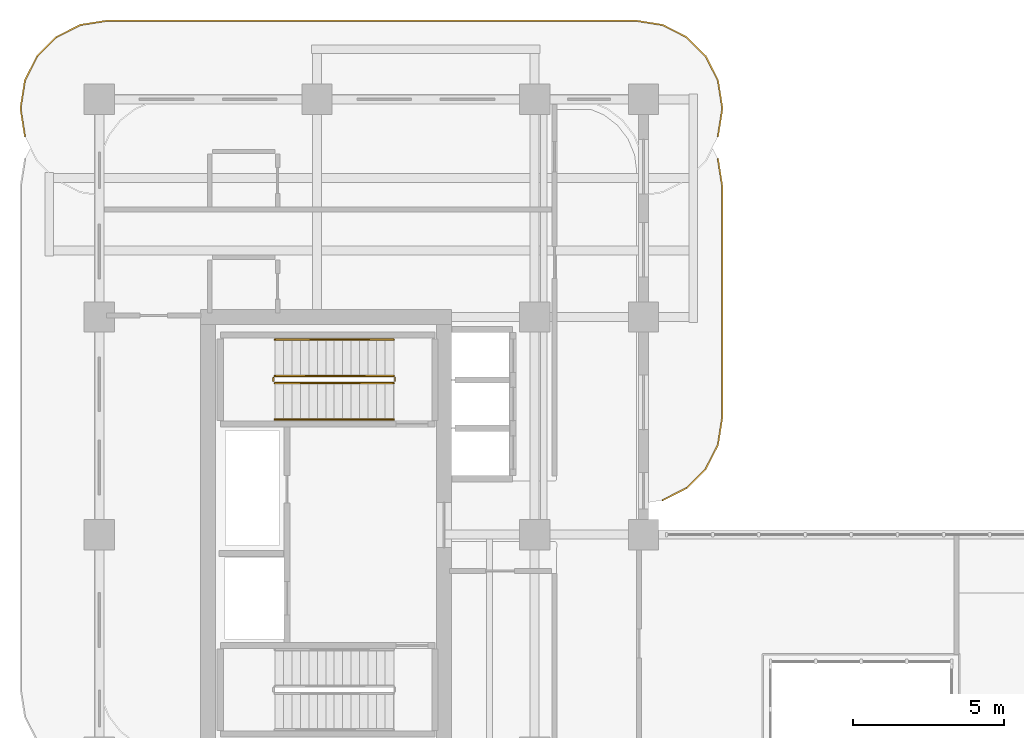
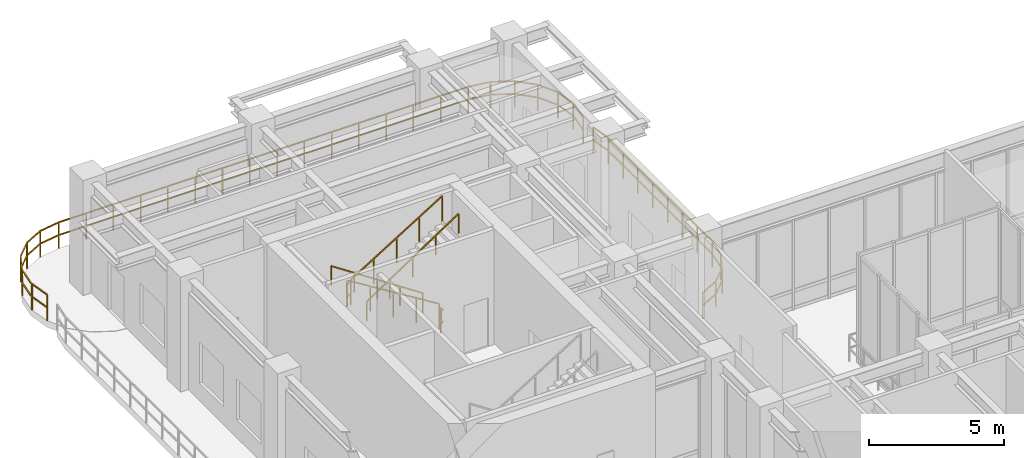
# One storey, part 21 of 21: 8 railings.
"""IFC4 building model written with IfcOpenShell, lengths in metres."""

import ifcopenshell
import ifcopenshell.guid

model = None  # the IFC model being written
_history = None  # IfcOwnerHistory: only IFC2X3 demands one
_inside = {}  # id of a spatial element -> (the spatial element, [elements in it])
_under = {}  # id of a project, library or spatial element -> (it, [spatial elements below it])
_declared = {}  # id of a project -> (the project, [libraries it declares])
_typed = {}  # id of a type object -> (the type object, [elements of that type])
_made_of = {}  # id of a material, layer set ... -> (it, [elements and type objects made of it])


def new_model(schema):
    """Start an empty IFC model of exactly this schema.

    Asked for "IFC4X3", IfcOpenShell would pick the latest addendum, in which some entities
    have other attributes; the version numbers below select the first issue.
    IFC2X3 requires an IfcOwnerHistory on every rooted entity: one is made here for all.
    """
    global model, _history
    if schema == "IFC4X3":
        model = ifcopenshell.file(schema_version=(4, 3, 0, 0))
    else:
        model = ifcopenshell.file(schema=schema)
    _inside.clear()
    _under.clear()
    _declared.clear()
    _typed.clear()
    _made_of.clear()
    _history = None
    if model.schema == "IFC2X3":
        org = make("IfcOrganization", Name="unknown")
        user = make(
            "IfcPersonAndOrganization",
            ThePerson=make("IfcPerson", FamilyName="unknown"),
            TheOrganization=org,
        )
        app = make(
            "IfcApplication",
            ApplicationDeveloper=org,
            Version="unknown",
            ApplicationFullName="unknown",
            ApplicationIdentifier="unknown",
        )
        _history = make(
            "IfcOwnerHistory",
            OwningUser=user,
            OwningApplication=app,
            ChangeAction="ADDED",
            CreationDate=0,
        )
    return model


def make(cls, **values):
    """One entity of the class cls with the attributes given. An attribute that is None is left unset."""
    return model.create_entity(
        cls, **{name: value for name, value in values.items() if value is not None}
    )


def rooted(cls, **values):
    """An entity with a GlobalId (a new one), such as an element, a storey or a relation."""
    return make(cls, GlobalId=ifcopenshell.guid.new(), OwnerHistory=_history, **values)


def si_unit(unit_type, name, prefix=None):
    """IfcSIUnit, for example si_unit("LENGTHUNIT", "METRE", prefix="MILLI")."""
    return make("IfcSIUnit", UnitType=unit_type, Prefix=prefix, Name=name)


def derived_unit(unit_type, elements):
    """IfcDerivedUnit: a product of units, each with its exponent."""
    return make(
        "IfcDerivedUnit",
        Elements=[
            make("IfcDerivedUnitElement", Unit=unit, Exponent=power)
            for unit, power in elements
        ],
        UnitType=unit_type,
    )


def assignment(units):
    """IfcUnitAssignment: the units of a project."""
    return None if units is None else make("IfcUnitAssignment", Units=units)


def point(xyz):
    """IfcCartesianPoint."""
    return None if xyz is None else make("IfcCartesianPoint", Coordinates=xyz)


def direction(xyz):
    """IfcDirection."""
    return None if xyz is None else make("IfcDirection", DirectionRatios=xyz)


def frame(location, z_axis=None, x_axis=None):
    """IfcAxis2Placement3D, a coordinate frame: its origin and axes. An axis left out is left unset."""
    return make(
        "IfcAxis2Placement3D",
        Location=point(location),
        Axis=direction(z_axis),
        RefDirection=direction(x_axis),
    )


def frame_2d(location, x_axis=None):
    """IfcAxis2Placement2D, a coordinate frame in the plane: its origin and x axis."""
    return make(
        "IfcAxis2Placement2D", Location=point(location), RefDirection=direction(x_axis)
    )


def origin():
    """The frame at (0, 0, 0) with its axes left unset."""
    return frame((0.0, 0.0, 0.0))


def origin_2d():
    """The frame at (0, 0) in the plane with its x axis left unset."""
    return frame_2d((0.0, 0.0))


def place(relative_to, where):
    """IfcLocalPlacement: puts the frame where relative to a parent placement (None: the world)."""
    return make(
        "IfcLocalPlacement", PlacementRelTo=relative_to, RelativePlacement=where
    )


def context(
    kind, dimensions, precision=None, world=None, true_north=None, identifier=None
):
    """IfcGeometricRepresentationContext, for example the 3D "Model" context."""
    return make(
        "IfcGeometricRepresentationContext",
        ContextIdentifier=identifier,
        ContextType=kind,
        CoordinateSpaceDimension=dimensions,
        Precision=precision,
        WorldCoordinateSystem=world,
        TrueNorth=true_north,
    )


def subcontext(parent, identifier, kind, view, scale=None):
    """IfcGeometricRepresentationSubContext, for example "Body" below "Model"."""
    return make(
        "IfcGeometricRepresentationSubContext",
        ContextIdentifier=identifier,
        ContextType=kind,
        ParentContext=parent,
        TargetScale=scale,
        TargetView=view,
    )


def project(units=None, contexts=None):
    """IfcProject with its units and contexts."""
    return rooted(
        "IfcProject",
        Name="project",
        RepresentationContexts=contexts,
        UnitsInContext=assignment(units),
    )


def spatial(cls, under=None, at=None, **own):
    """A site, building, storey or space (cls), placed at a placement, below another one or the project."""
    s = rooted(cls, ObjectPlacement=at, **own)
    if under is not None:
        _under.setdefault(under.id(), (under, []))[1].append(s)
    return s


def profile(cls, at=None, kind="AREA", **sizes):
    """A parametric profile (cls). Its sizes go by their IFC names, for example OverallWidth=200.0."""
    return make(cls, ProfileType=kind, Position=at, **sizes)


def rectangle(**sizes):
    """IfcRectangleProfileDef."""
    return profile("IfcRectangleProfileDef", **sizes)


def extrude(swept, where, along, depth):
    """IfcExtrudedAreaSolid: the profile swept, set in the frame where, extruded along a direction by depth."""
    return make(
        "IfcExtrudedAreaSolid",
        SweptArea=swept,
        Position=where,
        ExtrudedDirection=direction(along),
        Depth=depth,
    )


def shape(context_of_items, identifier, shape_type, items):
    """IfcShapeRepresentation: the items that make up one representation, for example the "Body"."""
    return make(
        "IfcShapeRepresentation",
        ContextOfItems=context_of_items,
        RepresentationIdentifier=identifier,
        RepresentationType=shape_type,
        Items=items,
    )


def material(Name=None, Category=None):
    """IfcMaterial."""
    return make("IfcMaterial", Name=Name, Category=Category)


def made_of(thing, what):
    """Note that an element or type object is made of a material, layer set ...; save() writes the relation."""
    if what is not None:
        _made_of.setdefault(what.id(), (what, []))[1].append(thing)
    return thing


def type_object(cls, material=None, **own):
    """A type object (cls), such as IfcWallType, which elements share."""
    return made_of(rooted(cls, **own), material)


def element(
    cls,
    number,
    at=None,
    inside=None,
    cuts=None,
    type_object=None,
    material=None,
    context=None,
    identifier="Body",
    shape_type=None,
    held_by="IfcProductDefinitionShape",
    body=None,
    shapes=None,
    **own,
):
    """One element of the class cls, such as IfcWall. Its Tag is "e" and its number.

    at: its placement. inside: the storey or other place that contains it. cuts: it is an
    opening in that element (IfcRelVoidsElement). A single representation is given by context,
    identifier, shape_type and body (its items); several are given by shapes. held_by: the class
    of the entity that holds the representations. save() writes the other relations.
    """
    e = rooted(cls, Tag="e%d" % number, ObjectPlacement=at, **own)
    if body is not None:
        shapes = [shape(context, identifier, shape_type, body)]
    if shapes is not None:
        e.Representation = make(held_by, Representations=shapes)
    if inside is not None:
        _inside.setdefault(inside.id(), (inside, []))[1].append(e)
    if cuts is not None:
        rooted(
            "IfcRelVoidsElement", RelatingBuildingElement=cuts, RelatedOpeningElement=e
        )
    if type_object is not None:
        _typed.setdefault(type_object.id(), (type_object, []))[1].append(e)
    return made_of(e, material)


def aggregate(whole, parts):
    """IfcRelAggregates: a whole, such as a stair, and the parts it consists of."""
    return rooted("IfcRelAggregates", RelatingObject=whole, RelatedObjects=parts)


def save(model, path):
    """Write the relations noted so far, then the file.

    IfcRelAggregates (storeys below a building ...), IfcRelContainedInSpatialStructure (elements
    in a storey), IfcRelDefinesByType, IfcRelAssociatesMaterial and IfcRelDeclares: one each for
    every whole, place, type object, material and project.
    """
    for whole, parts in _under.values():
        aggregate(whole, parts)
    for where, things in _inside.values():
        rooted(
            "IfcRelContainedInSpatialStructure",
            RelatedElements=things,
            RelatingStructure=where,
        )
    for kind, things in _typed.values():
        rooted("IfcRelDefinesByType", RelatedObjects=things, RelatingType=kind)
    for what, things in _made_of.values():
        rooted("IfcRelAssociatesMaterial", RelatedObjects=things, RelatingMaterial=what)
    for by, libraries in _declared.values():
        rooted("IfcRelDeclares", RelatingContext=by, RelatedDefinitions=libraries)
    model.write(path)


model = new_model("IFC4")

# Units and contexts
model_context = context("Model", 3, precision=1e-05, world=origin(), true_north=direction((0.0, 1.0)))
body_context = subcontext(model_context, "Body", "Model", "MODEL_VIEW")
ifc_project = project(units=[si_unit("LENGTHUNIT", "METRE"), si_unit("AREAUNIT", "SQUARE_METRE"), si_unit("VOLUMEUNIT", "CUBIC_METRE"), si_unit("PLANEANGLEUNIT", "RADIAN"), si_unit("MASSUNIT", "GRAM", prefix="KILO"), si_unit("THERMODYNAMICTEMPERATUREUNIT", "KELVIN"), si_unit("POWERUNIT", "WATT"), derived_unit("THERMALTRANSMITTANCEUNIT", [(si_unit("POWERUNIT", "WATT"), 1), (si_unit("AREAUNIT", "SQUARE_METRE"), -1), (si_unit("THERMODYNAMICTEMPERATUREUNIT", "KELVIN"), -1)])], contexts=[model_context])

# Site, building, storey
site_placement = place(None, origin())
site = spatial("IfcSite", under=ifc_project, at=site_placement, CompositionType="ELEMENT")
building_placement = place(site_placement, origin())
building = spatial("IfcBuilding", under=site, at=building_placement, Name="Zahravan Archway Hotel and Residences", CompositionType="ELEMENT")
storey_placement = place(building_placement, frame((0.0, 0.0, 145.10009765625)))
storey = spatial("IfcBuildingStorey", under=building, at=storey_placement, Name="L36", CompositionType="ELEMENT", Elevation=145.10009765625)

# Railings
ifc_material_1 = material(Name="Bronze & Laminated Glass Balustrade", Category="glass")
railing_type_1 = type_object("IfcRailingType", Name="RL-BAL-1200", PredefinedType="BALUSTRADE", material=ifc_material_1)
railing_1_placement = place(storey_placement, frame((-2.46044921875, 45.5693359375, 0.0)))
element("IfcRailing", 1, at=railing_1_placement, inside=storey, type_object=railing_type_1, Name="L36 Balustrade RL-SLB-BAL-L36-NB-1", PredefinedType="BALUSTRADE", context=body_context, shape_type="SweptSolid", body=[
    extrude(rectangle(XDim=0.048095703125, YDim=0.048095703125, at=origin_2d()), frame((0.0, 0.0, 1.17578125), z_axis=(-0.156623399917, 0.987658397726, 0.0), x_axis=(-0.987658397726, -0.156623399917, 0.0)), (0.0, 0.0, 1.0), 0.8916015625),
    extrude(rectangle(XDim=0.048095703125, YDim=0.048095703125, at=origin_2d()), frame((0.0, 0.0, 0.60009765625), z_axis=(-0.156623399917, 0.987658397726, 0.0), x_axis=(-0.987658397726, -0.156623399917, 0.0)), (0.0, 0.0, 1.0), 0.8916015625),
    extrude(rectangle(XDim=0.048095703125, YDim=0.048095703125, at=origin_2d()), frame((-0.1396484375, 0.880615234375, 1.17578125), z_axis=(0.0, 1.0, 0.0), x_axis=(-1.0, 0.0, 0.0)), (0.0, 0.0, 1.0), 0.10009765625),
    extrude(rectangle(XDim=0.048095703125, YDim=0.048095703125, at=origin_2d()), frame((-0.1396484375, 0.880615234375, 0.60009765625), z_axis=(0.0, 1.0, 0.0), x_axis=(-1.0, 0.0, 0.0)), (0.0, 0.0, 1.0), 0.10009765625),
    extrude(rectangle(XDim=0.048095703125, YDim=0.048095703125, at=origin_2d()), frame((-0.1396484375, 0.980712890625, 1.17578125), z_axis=(0.156623399917, 0.987658397726, 0.0), x_axis=(-0.987658397726, 0.156623399917, 0.0)), (0.0, 0.0, 1.0), 0.8916015625),
    extrude(rectangle(XDim=0.048095703125, YDim=0.048095703125, at=origin_2d()), frame((-0.1396484375, 0.980712890625, 0.60009765625), z_axis=(0.156623399917, 0.987658397726, 0.0), x_axis=(-0.987658397726, 0.156623399917, 0.0)), (0.0, 0.0, 1.0), 0.8916015625),
    extrude(rectangle(XDim=0.048095703125, YDim=0.048095703125, at=origin_2d()), frame((0.0, 1.861328125, 1.17578125), z_axis=(0.453991409995, 0.891006060389, 0.0), x_axis=(-0.891006060389, 0.453991409995, 0.0)), (0.0, 0.0, 1.0), 0.8916015625),
    extrude(rectangle(XDim=0.048095703125, YDim=0.048095703125, at=origin_2d()), frame((0.0, 1.861328125, 0.60009765625), z_axis=(0.453991409995, 0.891006060389, 0.0), x_axis=(-0.891006060389, 0.453991409995, 0.0)), (0.0, 0.0, 1.0), 0.8916015625),
    extrude(rectangle(XDim=0.048095703125, YDim=0.048095703125, at=origin_2d()), frame((0.40478515625, 2.65576171875, 1.17578125), z_axis=(0.706969864397, 0.70724367147, 0.0), x_axis=(-0.70724367147, 0.706969864397, 0.0)), (0.0, 0.0, 1.0), 0.8916015625),
    extrude(rectangle(XDim=0.048095703125, YDim=0.048095703125, at=origin_2d()), frame((0.40478515625, 2.65576171875, 0.60009765625), z_axis=(0.706969864397, 0.70724367147, 0.0), x_axis=(-0.70724367147, 0.706969864397, 0.0)), (0.0, 0.0, 1.0), 0.8916015625),
    extrude(rectangle(XDim=0.048095703125, YDim=0.048095703125, at=origin_2d()), frame((1.03515625, 3.286376953125, 1.17578125), z_axis=(0.891062476022, 0.45388067135, 0.0), x_axis=(-0.45388067135, 0.891062476022, 0.0)), (0.0, 0.0, 1.0), 0.891845703125),
    extrude(rectangle(XDim=0.048095703125, YDim=0.048095703125, at=origin_2d()), frame((1.03515625, 3.286376953125, 0.60009765625), z_axis=(0.891062476022, 0.45388067135, 0.0), x_axis=(-0.45388067135, 0.891062476022, 0.0)), (0.0, 0.0, 1.0), 0.891845703125),
    extrude(rectangle(XDim=0.048095703125, YDim=0.048095703125, at=origin_2d()), frame((1.829833984375, 3.691162109375, 1.17578125), z_axis=(0.987700720307, 0.156356282588, 0.0), x_axis=(-0.156356282588, 0.987700720307, 0.0)), (0.0, 0.0, 1.0), 0.8916015625),
    extrude(rectangle(XDim=0.048095703125, YDim=0.048095703125, at=origin_2d()), frame((1.829833984375, 3.691162109375, 0.60009765625), z_axis=(0.987700720307, 0.156356282588, 0.0), x_axis=(-0.156356282588, 0.987700720307, 0.0)), (0.0, 0.0, 1.0), 0.8916015625),
    extrude(rectangle(XDim=0.048095703125, YDim=0.048095703125, at=origin_2d()), frame((2.71044921875, 3.83056640625, 1.17578125), z_axis=(1.0, 0.0, 0.0), x_axis=(0.0, 1.0, 0.0)), (0.0, 0.0, 1.0), 17.5),
    extrude(rectangle(XDim=0.048095703125, YDim=0.048095703125, at=origin_2d()), frame((2.71044921875, 3.83056640625, 0.60009765625), z_axis=(1.0, 0.0, 0.0), x_axis=(0.0, 1.0, 0.0)), (0.0, 0.0, 1.0), 17.5),
    extrude(rectangle(XDim=0.048095703125, YDim=0.048095703125, at=origin_2d()), frame((20.21044921875, 3.83056640625, 1.17578125), z_axis=(0.987700720307, -0.156356282588, 0.0), x_axis=(0.156356282588, 0.987700720307, 0.0)), (0.0, 0.0, 1.0), 0.8916015625),
    extrude(rectangle(XDim=0.048095703125, YDim=0.048095703125, at=origin_2d()), frame((20.21044921875, 3.83056640625, 0.60009765625), z_axis=(0.987700720307, -0.156356282588, 0.0), x_axis=(0.156356282588, 0.987700720307, 0.0)), (0.0, 0.0, 1.0), 0.8916015625),
    extrude(rectangle(XDim=0.048095703125, YDim=0.048095703125, at=origin_2d()), frame((21.091064453125, 3.691162109375, 1.17578125), z_axis=(0.891062476022, -0.45388067135, 0.0), x_axis=(0.45388067135, 0.891062476022, 0.0)), (0.0, 0.0, 1.0), 0.891845703125),
    extrude(rectangle(XDim=0.048095703125, YDim=0.048095703125, at=origin_2d()), frame((21.091064453125, 3.691162109375, 0.60009765625), z_axis=(0.891062476022, -0.45388067135, 0.0), x_axis=(0.45388067135, 0.891062476022, 0.0)), (0.0, 0.0, 1.0), 0.891845703125),
    extrude(rectangle(XDim=0.048095703125, YDim=0.048095703125, at=origin_2d()), frame((21.8857421875, 3.286376953125, 1.17578125), z_axis=(0.706969864397, -0.70724367147, 0.0), x_axis=(0.70724367147, 0.706969864397, 0.0)), (0.0, 0.0, 1.0), 0.8916015625),
    extrude(rectangle(XDim=0.048095703125, YDim=0.048095703125, at=origin_2d()), frame((21.8857421875, 3.286376953125, 0.60009765625), z_axis=(0.706969864397, -0.70724367147, 0.0), x_axis=(0.70724367147, 0.706969864397, 0.0)), (0.0, 0.0, 1.0), 0.8916015625),
    extrude(rectangle(XDim=0.048095703125, YDim=0.048095703125, at=origin_2d()), frame((22.51611328125, 2.65576171875, 1.17578125), z_axis=(0.453991409995, -0.891006060389, 0.0), x_axis=(0.891006060389, 0.453991409995, 0.0)), (0.0, 0.0, 1.0), 0.8916015625),
    extrude(rectangle(XDim=0.048095703125, YDim=0.048095703125, at=origin_2d()), frame((22.51611328125, 2.65576171875, 0.60009765625), z_axis=(0.453991409995, -0.891006060389, 0.0), x_axis=(0.891006060389, 0.453991409995, 0.0)), (0.0, 0.0, 1.0), 0.8916015625),
    extrude(rectangle(XDim=0.048095703125, YDim=0.048095703125, at=origin_2d()), frame((22.9208984375, 1.861328125, 1.17578125), z_axis=(0.156623399917, -0.987658397726, 0.0), x_axis=(0.987658397726, 0.156623399917, 0.0)), (0.0, 0.0, 1.0), 0.8916015625),
    extrude(rectangle(XDim=0.048095703125, YDim=0.048095703125, at=origin_2d()), frame((22.9208984375, 1.861328125, 0.60009765625), z_axis=(0.156623399917, -0.987658397726, 0.0), x_axis=(0.987658397726, 0.156623399917, 0.0)), (0.0, 0.0, 1.0), 0.8916015625),
    extrude(rectangle(XDim=0.048095703125, YDim=0.048095703125, at=origin_2d()), frame((23.060546875, 0.980712890625, 1.17578125), z_axis=(0.0, -1.0, 0.0), x_axis=(1.0, 0.0, 0.0)), (0.0, 0.0, 1.0), 0.10009765625),
    extrude(rectangle(XDim=0.048095703125, YDim=0.048095703125, at=origin_2d()), frame((23.060546875, 0.980712890625, 0.60009765625), z_axis=(0.0, -1.0, 0.0), x_axis=(1.0, 0.0, 0.0)), (0.0, 0.0, 1.0), 0.10009765625),
    extrude(rectangle(XDim=0.048095703125, YDim=0.048095703125, at=origin_2d()), frame((23.060546875, 0.880615234375, 1.17578125), z_axis=(-0.156623399917, -0.987658397726, 0.0), x_axis=(0.987658397726, -0.156623399917, 0.0)), (0.0, 0.0, 1.0), 0.8916015625),
    extrude(rectangle(XDim=0.048095703125, YDim=0.048095703125, at=origin_2d()), frame((23.060546875, 0.880615234375, 0.60009765625), z_axis=(-0.156623399917, -0.987658397726, 0.0), x_axis=(0.987658397726, -0.156623399917, 0.0)), (0.0, 0.0, 1.0), 0.8916015625),
    extrude(rectangle(XDim=0.0419921875, YDim=0.0419921875, at=origin_2d()), origin(), (0.0, 0.0, 1.0), 1.15185546875),
    extrude(rectangle(XDim=0.0419921875, YDim=0.0419921875, at=origin_2d()), frame((-0.1396484375, 0.880615234375, 0.0)), (0.0, 0.0, 1.0), 1.15185546875),
    extrude(rectangle(XDim=0.0419921875, YDim=0.0419921875, at=origin_2d()), frame((0.0, 1.861328125, 0.0)), (0.0, 0.0, 1.0), 1.15185546875),
    extrude(rectangle(XDim=0.0419921875, YDim=0.0419921875, at=origin_2d()), frame((0.40478515625, 2.65576171875, 0.0)), (0.0, 0.0, 1.0), 1.15185546875),
    extrude(rectangle(XDim=0.0419921875, YDim=0.0419921875, at=origin_2d()), frame((1.03515625, 3.286376953125, 0.0)), (0.0, 0.0, 1.0), 1.15185546875),
    extrude(rectangle(XDim=0.0419921875, YDim=0.0419921875, at=origin_2d()), frame((1.829833984375, 3.691162109375, 0.0)), (0.0, 0.0, 1.0), 1.15185546875),
    extrude(rectangle(XDim=0.0419921875, YDim=0.0419921875, at=origin_2d()), frame((2.71044921875, 3.83056640625, 0.0)), (0.0, 0.0, 1.0), 1.15185546875),
    extrude(rectangle(XDim=0.0419921875, YDim=0.0419921875, at=origin_2d()), frame((3.877197265625, 3.83056640625, 0.0)), (0.0, 0.0, 1.0), 1.15185546875),
    extrude(rectangle(XDim=0.0419921875, YDim=0.0419921875, at=origin_2d()), frame((5.043701171875, 3.83056640625, 0.0)), (0.0, 0.0, 1.0), 1.15185546875),
    extrude(rectangle(XDim=0.0419921875, YDim=0.0419921875, at=origin_2d()), frame((6.21044921875, 3.83056640625, 0.0)), (0.0, 0.0, 1.0), 1.15185546875),
    extrude(rectangle(XDim=0.0419921875, YDim=0.0419921875, at=origin_2d()), frame((7.377197265625, 3.83056640625, 0.0)), (0.0, 0.0, 1.0), 1.15185546875),
    extrude(rectangle(XDim=0.0419921875, YDim=0.0419921875, at=origin_2d()), frame((8.543701171875, 3.83056640625, 0.0)), (0.0, 0.0, 1.0), 1.15185546875),
    extrude(rectangle(XDim=0.0419921875, YDim=0.0419921875, at=origin_2d()), frame((9.71044921875, 3.83056640625, 0.0)), (0.0, 0.0, 1.0), 1.15185546875),
    extrude(rectangle(XDim=0.0419921875, YDim=0.0419921875, at=origin_2d()), frame((10.877197265625, 3.83056640625, 0.0)), (0.0, 0.0, 1.0), 1.15185546875),
    extrude(rectangle(XDim=0.0419921875, YDim=0.0419921875, at=origin_2d()), frame((12.043701171875, 3.83056640625, 0.0)), (0.0, 0.0, 1.0), 1.15185546875),
    extrude(rectangle(XDim=0.0419921875, YDim=0.0419921875, at=origin_2d()), frame((13.21044921875, 3.83056640625, 0.0)), (0.0, 0.0, 1.0), 1.15185546875),
    extrude(rectangle(XDim=0.0419921875, YDim=0.0419921875, at=origin_2d()), frame((14.377197265625, 3.83056640625, 0.0)), (0.0, 0.0, 1.0), 1.15185546875),
    extrude(rectangle(XDim=0.0419921875, YDim=0.0419921875, at=origin_2d()), frame((15.543701171875, 3.83056640625, 0.0)), (0.0, 0.0, 1.0), 1.15185546875),
    extrude(rectangle(XDim=0.0419921875, YDim=0.0419921875, at=origin_2d()), frame((16.71044921875, 3.83056640625, 0.0)), (0.0, 0.0, 1.0), 1.15185546875),
    extrude(rectangle(XDim=0.0419921875, YDim=0.0419921875, at=origin_2d()), frame((17.877197265625, 3.83056640625, 0.0)), (0.0, 0.0, 1.0), 1.15185546875),
    extrude(rectangle(XDim=0.0419921875, YDim=0.0419921875, at=origin_2d()), frame((19.043701171875, 3.83056640625, 0.0)), (0.0, 0.0, 1.0), 1.15185546875),
    extrude(rectangle(XDim=0.0419921875, YDim=0.0419921875, at=origin_2d()), frame((20.21044921875, 3.83056640625, 0.0)), (0.0, 0.0, 1.0), 1.15185546875),
    extrude(rectangle(XDim=0.0419921875, YDim=0.0419921875, at=origin_2d()), frame((21.091064453125, 3.691162109375, 0.0)), (0.0, 0.0, 1.0), 1.15185546875),
    extrude(rectangle(XDim=0.0419921875, YDim=0.0419921875, at=origin_2d()), frame((21.8857421875, 3.286376953125, 0.0)), (0.0, 0.0, 1.0), 1.15185546875),
    extrude(rectangle(XDim=0.0419921875, YDim=0.0419921875, at=origin_2d()), frame((22.51611328125, 2.65576171875, 0.0)), (0.0, 0.0, 1.0), 1.15185546875),
    extrude(rectangle(XDim=0.0419921875, YDim=0.0419921875, at=origin_2d()), frame((22.9208984375, 1.861328125, 0.0)), (0.0, 0.0, 1.0), 1.15185546875),
    extrude(rectangle(XDim=0.0419921875, YDim=0.0419921875, at=origin_2d()), frame((23.060546875, 0.980712890625, 0.0)), (0.0, 0.0, 1.0), 1.15185546875),
    extrude(rectangle(XDim=0.0419921875, YDim=0.0419921875, at=origin_2d()), frame((22.9208984375, 0.0, 0.0)), (0.0, 0.0, 1.0), 1.15185546875),
])
railing_2_placement = place(storey_placement, frame((20.46044921875, 44.830810546875, 0.0)))
element("IfcRailing", 2, at=railing_2_placement, inside=storey, type_object=railing_type_1, Name="L36 Balustrade RL-SLB-BAL-L36-EB-1", PredefinedType="BALUSTRADE", context=body_context, shape_type="SweptSolid", body=[
    extrude(rectangle(XDim=0.048095703125, YDim=0.048095703125, at=origin_2d()), frame((0.0, 0.0, 1.17578125), z_axis=(0.156581054338, -0.98766511198, 0.0), x_axis=(0.98766511198, 0.156581054338, 0.0)), (0.0, 0.0, 1.0), 0.891845703125),
    extrude(rectangle(XDim=0.048095703125, YDim=0.048095703125, at=origin_2d()), frame((0.0, 0.0, 0.60009765625), z_axis=(0.156581054338, -0.98766511198, 0.0), x_axis=(0.98766511198, 0.156581054338, 0.0)), (0.0, 0.0, 1.0), 0.891845703125),
    extrude(rectangle(XDim=0.048095703125, YDim=0.048095703125, at=origin_2d()), frame((0.1396484375, -0.880859375, 1.17578125), z_axis=(0.0, -1.0, 0.0), x_axis=(1.0, 0.0, 0.0)), (0.0, 0.0, 1.0), 7.699951171875),
    extrude(rectangle(XDim=0.048095703125, YDim=0.048095703125, at=origin_2d()), frame((0.1396484375, -0.880859375, 0.60009765625), z_axis=(0.0, -1.0, 0.0), x_axis=(1.0, 0.0, 0.0)), (0.0, 0.0, 1.0), 7.699951171875),
    extrude(rectangle(XDim=0.048095703125, YDim=0.048095703125, at=origin_2d()), frame((0.1396484375, -8.580810546875, 1.17578125), z_axis=(-0.156623399917, -0.987658397726, 0.0), x_axis=(0.987658397726, -0.156623399917, 0.0)), (0.0, 0.0, 1.0), 0.8916015625),
    extrude(rectangle(XDim=0.048095703125, YDim=0.048095703125, at=origin_2d()), frame((0.1396484375, -8.580810546875, 0.60009765625), z_axis=(-0.156623399917, -0.987658397726, 0.0), x_axis=(0.987658397726, -0.156623399917, 0.0)), (0.0, 0.0, 1.0), 0.8916015625),
    extrude(rectangle(XDim=0.048095703125, YDim=0.048095703125, at=origin_2d()), frame((0.0, -9.46142578125, 1.17578125), z_axis=(-0.45388067135, -0.891062476022, 0.0), x_axis=(0.891062476022, -0.45388067135, 0.0)), (0.0, 0.0, 1.0), 0.891845703125),
    extrude(rectangle(XDim=0.048095703125, YDim=0.048095703125, at=origin_2d()), frame((0.0, -9.46142578125, 0.60009765625), z_axis=(-0.45388067135, -0.891062476022, 0.0), x_axis=(0.891062476022, -0.45388067135, 0.0)), (0.0, 0.0, 1.0), 0.891845703125),
    extrude(rectangle(XDim=0.048095703125, YDim=0.048095703125, at=origin_2d()), frame((-0.40478515625, -10.256103515625, 1.17578125), z_axis=(-0.707106781187, -0.707106781187, 0.0), x_axis=(0.707106781187, -0.707106781187, 0.0)), (0.0, 0.0, 1.0), 0.891357421875),
    extrude(rectangle(XDim=0.048095703125, YDim=0.048095703125, at=origin_2d()), frame((-0.40478515625, -10.256103515625, 0.60009765625), z_axis=(-0.707106781187, -0.707106781187, 0.0), x_axis=(0.707106781187, -0.707106781187, 0.0)), (0.0, 0.0, 1.0), 0.891357421875),
    extrude(rectangle(XDim=0.048095703125, YDim=0.048095703125, at=origin_2d()), frame((-1.03515625, -10.886474609375, 1.17578125), z_axis=(-0.891062476022, -0.45388067135, 0.0), x_axis=(0.45388067135, -0.891062476022, 0.0)), (0.0, 0.0, 1.0), 0.891845703125),
    extrude(rectangle(XDim=0.048095703125, YDim=0.048095703125, at=origin_2d()), frame((-1.03515625, -10.886474609375, 0.60009765625), z_axis=(-0.891062476022, -0.45388067135, 0.0), x_axis=(0.45388067135, -0.891062476022, 0.0)), (0.0, 0.0, 1.0), 0.891845703125),
    extrude(rectangle(XDim=0.0419921875, YDim=0.0419921875, at=origin_2d()), origin(), (0.0, 0.0, 1.0), 1.15185546875),
    extrude(rectangle(XDim=0.0419921875, YDim=0.0419921875, at=origin_2d()), frame((0.1396484375, -0.880859375, 0.0)), (0.0, 0.0, 1.0), 1.15185546875),
    extrude(rectangle(XDim=0.0419921875, YDim=0.0419921875, at=origin_2d()), frame((0.1396484375, -1.98095703125, 0.0)), (0.0, 0.0, 1.0), 1.15185546875),
    extrude(rectangle(XDim=0.0419921875, YDim=0.0419921875, at=origin_2d()), frame((0.1396484375, -3.080810546875, 0.0)), (0.0, 0.0, 1.0), 1.15185546875),
    extrude(rectangle(XDim=0.0419921875, YDim=0.0419921875, at=origin_2d()), frame((0.1396484375, -4.180908203125, 0.0)), (0.0, 0.0, 1.0), 1.15185546875),
    extrude(rectangle(XDim=0.0419921875, YDim=0.0419921875, at=origin_2d()), frame((0.1396484375, -5.28076171875, 0.0)), (0.0, 0.0, 1.0), 1.15185546875),
    extrude(rectangle(XDim=0.0419921875, YDim=0.0419921875, at=origin_2d()), frame((0.1396484375, -6.380859375, 0.0)), (0.0, 0.0, 1.0), 1.15185546875),
    extrude(rectangle(XDim=0.0419921875, YDim=0.0419921875, at=origin_2d()), frame((0.1396484375, -7.480712890625, 0.0)), (0.0, 0.0, 1.0), 1.15185546875),
    extrude(rectangle(XDim=0.0419921875, YDim=0.0419921875, at=origin_2d()), frame((0.1396484375, -8.580810546875, 0.0)), (0.0, 0.0, 1.0), 1.15185546875),
    extrude(rectangle(XDim=0.0419921875, YDim=0.0419921875, at=origin_2d()), frame((0.0, -9.46142578125, 0.0)), (0.0, 0.0, 1.0), 1.15185546875),
    extrude(rectangle(XDim=0.0419921875, YDim=0.0419921875, at=origin_2d()), frame((-0.40478515625, -10.256103515625, 0.0)), (0.0, 0.0, 1.0), 1.15185546875),
    extrude(rectangle(XDim=0.0419921875, YDim=0.0419921875, at=origin_2d()), frame((-1.03515625, -10.886474609375, 0.0)), (0.0, 0.0, 1.0), 1.15185546875),
    extrude(rectangle(XDim=0.0419921875, YDim=0.0419921875, at=origin_2d()), frame((-1.829833984375, -11.291259765625, 0.0)), (0.0, 0.0, 1.0), 1.15185546875),
])
ifc_material_2 = material(Name="Painted Tubular Steel", Category="steel")
railing_type_2 = type_object("IfcRailingType", Name="RL-STG-1150", PredefinedType="GUARDRAIL", material=ifc_material_2)
railing_3_placement = place(storey_placement, frame((9.72998046875, 37.64990234375, 0.17333984375)))
element("IfcRailing", 3, at=railing_3_placement, inside=storey, type_object=railing_type_2, Name="L36 ST-B2 stair guard 1", PredefinedType="GUARDRAIL", context=body_context, shape_type="SweptSolid", body=[
    extrude(rectangle(XDim=0.048095703125, YDim=0.048095703125, at=origin_2d()), frame((0.0, 0.0, 1.1259765625), z_axis=(-0.850275303828, 0.0, 0.526338206574), x_axis=(0.0, -1.0, 0.0)), (0.0, 0.0, 1.0), 4.610107421875),
    extrude(rectangle(XDim=0.0419921875, YDim=0.0419921875, at=origin_2d()), origin(), (0.0, 0.0, 1.0), 1.101806640625),
    extrude(rectangle(XDim=0.0419921875, YDim=0.0419921875, at=origin_2d()), frame((-0.97998046875, 0.0, 0.606689453125)), (0.0, 0.0, 1.0), 1.101806640625),
    extrude(rectangle(XDim=0.0419921875, YDim=0.0419921875, at=origin_2d()), frame((-1.9599609375, 0.0, 1.21337890625)), (0.0, 0.0, 1.0), 1.101806640625),
    extrude(rectangle(XDim=0.0419921875, YDim=0.0419921875, at=origin_2d()), frame((-2.93994140625, 0.0, 1.81982421875)), (0.0, 0.0, 1.0), 1.101806640625),
    extrude(rectangle(XDim=0.0419921875, YDim=0.0419921875, at=origin_2d()), frame((-3.919921875, 0.0, 2.426513671875)), (0.0, 0.0, 1.0), 1.101806640625),
])
railing_4_placement = place(storey_placement, frame((5.760009765625, 37.60009765625, 2.599853515625)))
element("IfcRailing", 4, at=railing_4_placement, inside=storey, type_object=railing_type_2, Name="L36 ST-B2 stair guard 2", PredefinedType="GUARDRAIL", context=body_context, shape_type="SweptSolid", body=[
    extrude(rectangle(XDim=0.048095703125, YDim=0.048095703125, at=origin_2d()), frame((0.0, 0.0, 1.1259765625), z_axis=(0.0, -1.0, 0.0), x_axis=(1.0, 0.0, 0.0)), (0.0, 0.0, 1.0), 0.14013671875),
    extrude(rectangle(XDim=0.048095703125, YDim=0.048095703125, at=origin_2d()), frame((0.0, 0.0, 0.574951171875), z_axis=(0.0, -1.0, 0.0), x_axis=(1.0, 0.0, 0.0)), (0.0, 0.0, 1.0), 0.14013671875),
    extrude(rectangle(XDim=0.0419921875, YDim=0.0419921875, at=origin_2d()), origin(), (0.0, 0.0, 1.0), 1.101806640625),
])
railing_5_placement = place(storey_placement, frame((5.81005859375, 37.409912109375, 2.773193359375)))
element("IfcRailing", 5, at=railing_5_placement, inside=storey, type_object=railing_type_2, Name="L36 ST-B2 stair guard 3", PredefinedType="GUARDRAIL", context=body_context, shape_type="SweptSolid", body=[
    extrude(rectangle(XDim=0.048095703125, YDim=0.048095703125, at=origin_2d()), frame((0.0, 0.0, 1.1259765625), z_axis=(0.850251603719, 0.0, 0.526376491091), x_axis=(0.0, 1.0, 0.0)), (0.0, 0.0, 1.0), 4.6103515625),
    extrude(rectangle(XDim=0.0419921875, YDim=0.0419921875, at=origin_2d()), origin(), (0.0, 0.0, 1.0), 1.101806640625),
    extrude(rectangle(XDim=0.0419921875, YDim=0.0419921875, at=origin_2d()), frame((0.97998046875, 0.0, 0.606689453125)), (0.0, 0.0, 1.0), 1.101806640625),
    extrude(rectangle(XDim=0.0419921875, YDim=0.0419921875, at=origin_2d()), frame((1.9599609375, 0.0, 1.21337890625)), (0.0, 0.0, 1.0), 1.101806640625),
    extrude(rectangle(XDim=0.0419921875, YDim=0.0419921875, at=origin_2d()), frame((2.93994140625, 0.0, 1.820068359375)), (0.0, 0.0, 1.0), 1.101806640625),
    extrude(rectangle(XDim=0.0419921875, YDim=0.0419921875, at=origin_2d()), frame((3.919921875, 0.0, 2.4267578125)), (0.0, 0.0, 1.0), 1.101806640625),
])
railing_6_placement = place(storey_placement, frame((9.780029296875, 37.60009765625, 0.0)))
element("IfcRailing", 6, at=railing_6_placement, inside=storey, type_object=railing_type_2, Name="L36 ST-B2 stair guard 4", PredefinedType="GUARDRAIL", context=body_context, shape_type="SweptSolid", body=[
    extrude(rectangle(XDim=0.048095703125, YDim=0.048095703125, at=origin_2d()), frame((0.0, 0.0, 1.1259765625), z_axis=(0.0, -1.0, 0.0), x_axis=(1.0, 0.0, 0.0)), (0.0, 0.0, 1.0), 0.14013671875),
    extrude(rectangle(XDim=0.048095703125, YDim=0.048095703125, at=origin_2d()), frame((0.0, 0.0, 0.574951171875), z_axis=(0.0, -1.0, 0.0), x_axis=(1.0, 0.0, 0.0)), (0.0, 0.0, 1.0), 0.14013671875),
    extrude(rectangle(XDim=0.0419921875, YDim=0.0419921875, at=origin_2d()), origin(), (0.0, 0.0, 1.0), 1.101806640625),
])
ifc_material_3 = material(Name="Brushed Stainless Steel", Category="steel")
railing_type_3 = type_object("IfcRailingType", Name="RL-STH-900", PredefinedType="HANDRAIL", material=ifc_material_3)
railing_7_placement = place(storey_placement, frame((9.72998046875, 38.85009765625, 0.17333984375)))
element("IfcRailing", 7, at=railing_7_placement, inside=storey, type_object=railing_type_3, Name="L36 ST-B2 stair handrail 1", PredefinedType="HANDRAIL", context=body_context, shape_type="SweptSolid", body=[
    extrude(rectangle(XDim=0.048095703125, YDim=0.048095703125, at=origin_2d()), frame((0.0, 0.0, 0.8759765625), z_axis=(-0.833365502166, 0.0, 0.552722298989), x_axis=(0.0, -1.0, 0.0)), (0.0, 0.0, 1.0), 4.70361328125),
    extrude(rectangle(XDim=0.0419921875, YDim=0.0419921875, at=origin_2d()), origin(), (0.0, 0.0, 1.0), 0.851806640625),
    extrude(rectangle(XDim=0.0419921875, YDim=0.0419921875, at=origin_2d()), frame((-0.97998046875, 0.0, 0.64990234375)), (0.0, 0.0, 1.0), 0.851806640625),
    extrude(rectangle(XDim=0.0419921875, YDim=0.0419921875, at=origin_2d()), frame((-1.9599609375, 0.0, 1.2998046875)), (0.0, 0.0, 1.0), 0.851806640625),
    extrude(rectangle(XDim=0.0419921875, YDim=0.0419921875, at=origin_2d()), frame((-2.93994140625, 0.0, 1.949951171875)), (0.0, 0.0, 1.0), 0.851806640625),
    extrude(rectangle(XDim=0.0419921875, YDim=0.0419921875, at=origin_2d()), frame((-3.919921875, 0.0, 2.599853515625)), (0.0, 0.0, 1.0), 0.851806640625),
])
railing_8_placement = place(storey_placement, frame((5.81005859375, 36.2099609375, 2.773193359375)))
element("IfcRailing", 8, at=railing_8_placement, inside=storey, type_object=railing_type_3, Name="L36 ST-B2 stair handrail 2", PredefinedType="HANDRAIL", context=body_context, shape_type="SweptSolid", body=[
    extrude(rectangle(XDim=0.048095703125, YDim=0.048095703125, at=origin_2d()), frame((0.0, 0.0, 0.8759765625), z_axis=(0.833341594215, 0.0, 0.552758344444), x_axis=(0.0, 1.0, 0.0)), (0.0, 0.0, 1.0), 4.703857421875),
    extrude(rectangle(XDim=0.0419921875, YDim=0.0419921875, at=origin_2d()), origin(), (0.0, 0.0, 1.0), 0.851806640625),
    extrude(rectangle(XDim=0.0419921875, YDim=0.0419921875, at=origin_2d()), frame((0.97998046875, 0.0, 0.64990234375)), (0.0, 0.0, 1.0), 0.851806640625),
    extrude(rectangle(XDim=0.0419921875, YDim=0.0419921875, at=origin_2d()), frame((1.9599609375, 0.0, 1.300048828125)), (0.0, 0.0, 1.0), 0.851806640625),
    extrude(rectangle(XDim=0.0419921875, YDim=0.0419921875, at=origin_2d()), frame((2.93994140625, 0.0, 1.9501953125)), (0.0, 0.0, 1.0), 0.851806640625),
    extrude(rectangle(XDim=0.0419921875, YDim=0.0419921875, at=origin_2d()), frame((3.919921875, 0.0, 2.60009765625)), (0.0, 0.0, 1.0), 0.851806640625),
])

save(model, "model.ifc")
